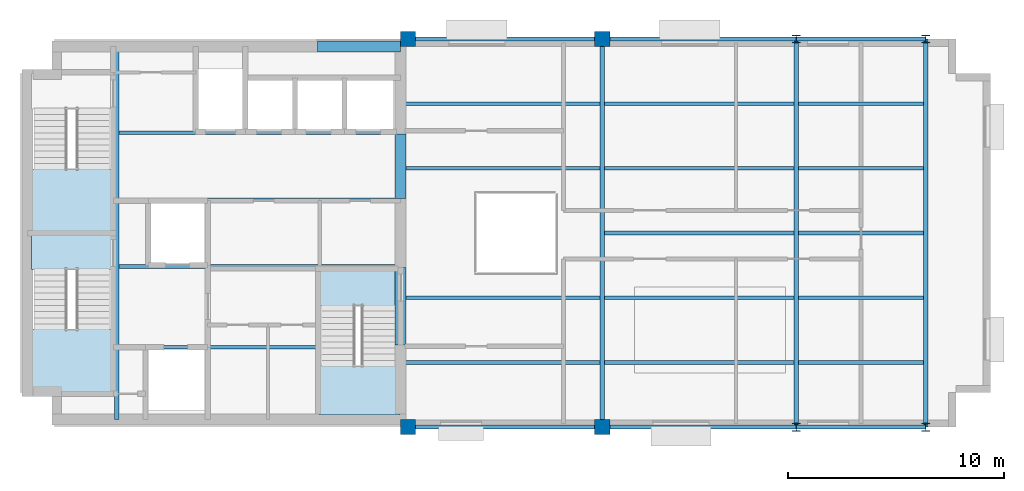
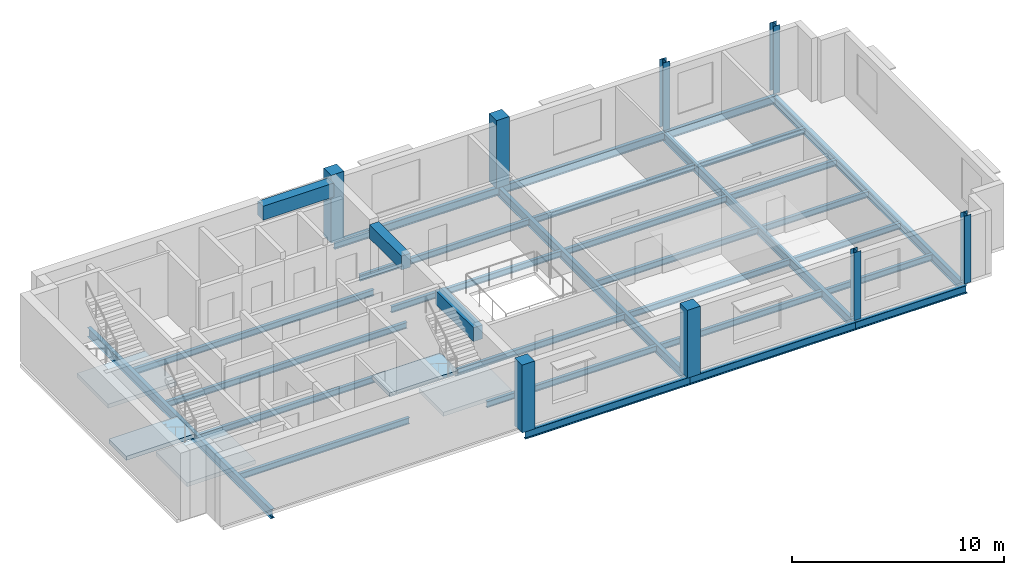
# One storey, part 1 of 5: 31 beams, 8 columns, 5 slabs, 3 elements without a shape of their own.
"""IFC4 building model written with IfcOpenShell, lengths in metres."""

import ifcopenshell
import ifcopenshell.guid

model = None  # the IFC model being written
_history = None  # IfcOwnerHistory: only IFC2X3 demands one
_inside = {}  # id of a spatial element -> (the spatial element, [elements in it])
_under = {}  # id of a project, library or spatial element -> (it, [spatial elements below it])
_declared = {}  # id of a project -> (the project, [libraries it declares])
_typed = {}  # id of a type object -> (the type object, [elements of that type])
_made_of = {}  # id of a material, layer set ... -> (it, [elements and type objects made of it])


def new_model(schema):
    """Start an empty IFC model of exactly this schema.

    Asked for "IFC4X3", IfcOpenShell would pick the latest addendum, in which some entities
    have other attributes; the version numbers below select the first issue.
    IFC2X3 requires an IfcOwnerHistory on every rooted entity: one is made here for all.
    """
    global model, _history
    if schema == "IFC4X3":
        model = ifcopenshell.file(schema_version=(4, 3, 0, 0))
    else:
        model = ifcopenshell.file(schema=schema)
    _inside.clear()
    _under.clear()
    _declared.clear()
    _typed.clear()
    _made_of.clear()
    _history = None
    if model.schema == "IFC2X3":
        org = make("IfcOrganization", Name="unknown")
        user = make(
            "IfcPersonAndOrganization",
            ThePerson=make("IfcPerson", FamilyName="unknown"),
            TheOrganization=org,
        )
        app = make(
            "IfcApplication",
            ApplicationDeveloper=org,
            Version="unknown",
            ApplicationFullName="unknown",
            ApplicationIdentifier="unknown",
        )
        _history = make(
            "IfcOwnerHistory",
            OwningUser=user,
            OwningApplication=app,
            ChangeAction="ADDED",
            CreationDate=0,
        )
    return model


def make(cls, **values):
    """One entity of the class cls with the attributes given. An attribute that is None is left unset."""
    return model.create_entity(
        cls, **{name: value for name, value in values.items() if value is not None}
    )


def rooted(cls, **values):
    """An entity with a GlobalId (a new one), such as an element, a storey or a relation."""
    return make(cls, GlobalId=ifcopenshell.guid.new(), OwnerHistory=_history, **values)


def si_unit(unit_type, name, prefix=None):
    """IfcSIUnit, for example si_unit("LENGTHUNIT", "METRE", prefix="MILLI")."""
    return make("IfcSIUnit", UnitType=unit_type, Prefix=prefix, Name=name)


def assignment(units):
    """IfcUnitAssignment: the units of a project."""
    return None if units is None else make("IfcUnitAssignment", Units=units)


def point(xyz):
    """IfcCartesianPoint."""
    return None if xyz is None else make("IfcCartesianPoint", Coordinates=xyz)


def direction(xyz):
    """IfcDirection."""
    return None if xyz is None else make("IfcDirection", DirectionRatios=xyz)


def frame(location, z_axis=None, x_axis=None):
    """IfcAxis2Placement3D, a coordinate frame: its origin and axes. An axis left out is left unset."""
    return make(
        "IfcAxis2Placement3D",
        Location=point(location),
        Axis=direction(z_axis),
        RefDirection=direction(x_axis),
    )


def frame_2d(location, x_axis=None):
    """IfcAxis2Placement2D, a coordinate frame in the plane: its origin and x axis."""
    return make(
        "IfcAxis2Placement2D", Location=point(location), RefDirection=direction(x_axis)
    )


def origin():
    """The frame at (0, 0, 0) with its axes left unset."""
    return frame((0.0, 0.0, 0.0))


def origin_2d():
    """The frame at (0, 0) in the plane with its x axis left unset."""
    return frame_2d((0.0, 0.0))


def place(relative_to, where):
    """IfcLocalPlacement: puts the frame where relative to a parent placement (None: the world)."""
    return make(
        "IfcLocalPlacement", PlacementRelTo=relative_to, RelativePlacement=where
    )


def context(
    kind, dimensions, precision=None, world=None, true_north=None, identifier=None
):
    """IfcGeometricRepresentationContext, for example the 3D "Model" context."""
    return make(
        "IfcGeometricRepresentationContext",
        ContextIdentifier=identifier,
        ContextType=kind,
        CoordinateSpaceDimension=dimensions,
        Precision=precision,
        WorldCoordinateSystem=world,
        TrueNorth=true_north,
    )


def subcontext(parent, identifier, kind, view, scale=None):
    """IfcGeometricRepresentationSubContext, for example "Body" below "Model"."""
    return make(
        "IfcGeometricRepresentationSubContext",
        ContextIdentifier=identifier,
        ContextType=kind,
        ParentContext=parent,
        TargetScale=scale,
        TargetView=view,
    )


def project(units=None, contexts=None):
    """IfcProject with its units and contexts."""
    return rooted(
        "IfcProject",
        Name="project",
        RepresentationContexts=contexts,
        UnitsInContext=assignment(units),
    )


def spatial(cls, under=None, at=None, **own):
    """A site, building, storey or space (cls), placed at a placement, below another one or the project."""
    s = rooted(cls, ObjectPlacement=at, **own)
    if under is not None:
        _under.setdefault(under.id(), (under, []))[1].append(s)
    return s


def polyline(points):
    """IfcPolyline through the points."""
    return make("IfcPolyline", Points=[point(p) for p in points])


def profile(cls, at=None, kind="AREA", **sizes):
    """A parametric profile (cls). Its sizes go by their IFC names, for example OverallWidth=200.0."""
    return make(cls, ProfileType=kind, Position=at, **sizes)


def rectangle(**sizes):
    """IfcRectangleProfileDef."""
    return profile("IfcRectangleProfileDef", **sizes)


def i_section(**sizes):
    """IfcIShapeProfileDef."""
    return profile("IfcIShapeProfileDef", **sizes)


def outline(outer, holes=None, kind="AREA"):
    """IfcArbitraryClosedProfileDef: a profile drawn as a closed curve; with holes, ...WithVoids."""
    if holes is None:
        return make("IfcArbitraryClosedProfileDef", ProfileType=kind, OuterCurve=outer)
    return make(
        "IfcArbitraryProfileDefWithVoids",
        ProfileType=kind,
        OuterCurve=outer,
        InnerCurves=holes,
    )


def extrude(swept, where, along, depth):
    """IfcExtrudedAreaSolid: the profile swept, set in the frame where, extruded along a direction by depth."""
    return make(
        "IfcExtrudedAreaSolid",
        SweptArea=swept,
        Position=where,
        ExtrudedDirection=direction(along),
        Depth=depth,
    )


def shape(context_of_items, identifier, shape_type, items):
    """IfcShapeRepresentation: the items that make up one representation, for example the "Body"."""
    return make(
        "IfcShapeRepresentation",
        ContextOfItems=context_of_items,
        RepresentationIdentifier=identifier,
        RepresentationType=shape_type,
        Items=items,
    )


def material(Name=None, Category=None):
    """IfcMaterial."""
    return make("IfcMaterial", Name=Name, Category=Category)


def layer(
    of_material, thickness, ventilated=None, Name=None, Category=None, Priority=None
):
    """IfcMaterialLayer: one layer of a wall or slab, of a material (None: an air gap)."""
    return make(
        "IfcMaterialLayer",
        Material=of_material,
        LayerThickness=thickness,
        IsVentilated=ventilated,
        Name=Name,
        Category=Category,
        Priority=Priority,
    )


def layer_set(layers, Name=None):
    """IfcMaterialLayerSet."""
    return make("IfcMaterialLayerSet", MaterialLayers=layers, LayerSetName=Name)


def material_profile(
    of_material, cross_section, Name=None, Category=None, Priority=None
):
    """IfcMaterialProfile: a cross section and its material."""
    return make(
        "IfcMaterialProfile",
        Name=Name,
        Material=of_material,
        Profile=cross_section,
        Priority=Priority,
        Category=Category,
    )


def profile_set(profiles, Name=None, composite=None):
    """IfcMaterialProfileSet."""
    return make(
        "IfcMaterialProfileSet",
        Name=Name,
        MaterialProfiles=profiles,
        CompositeProfile=composite,
    )


def made_of(thing, what):
    """Note that an element or type object is made of a material, layer set ...; save() writes the relation."""
    if what is not None:
        _made_of.setdefault(what.id(), (what, []))[1].append(thing)
    return thing


def type_object(cls, material=None, **own):
    """A type object (cls), such as IfcWallType, which elements share."""
    return made_of(rooted(cls, **own), material)


def element(
    cls,
    number,
    at=None,
    inside=None,
    cuts=None,
    type_object=None,
    material=None,
    context=None,
    identifier="Body",
    shape_type=None,
    held_by="IfcProductDefinitionShape",
    body=None,
    shapes=None,
    **own,
):
    """One element of the class cls, such as IfcWall. Its Tag is "e" and its number.

    at: its placement. inside: the storey or other place that contains it. cuts: it is an
    opening in that element (IfcRelVoidsElement). A single representation is given by context,
    identifier, shape_type and body (its items); several are given by shapes. held_by: the class
    of the entity that holds the representations. save() writes the other relations.
    """
    e = rooted(cls, Tag="e%d" % number, ObjectPlacement=at, **own)
    if body is not None:
        shapes = [shape(context, identifier, shape_type, body)]
    if shapes is not None:
        e.Representation = make(held_by, Representations=shapes)
    if inside is not None:
        _inside.setdefault(inside.id(), (inside, []))[1].append(e)
    if cuts is not None:
        rooted(
            "IfcRelVoidsElement", RelatingBuildingElement=cuts, RelatedOpeningElement=e
        )
    if type_object is not None:
        _typed.setdefault(type_object.id(), (type_object, []))[1].append(e)
    return made_of(e, material)


def aggregate(whole, parts):
    """IfcRelAggregates: a whole, such as a stair, and the parts it consists of."""
    return rooted("IfcRelAggregates", RelatingObject=whole, RelatedObjects=parts)


def save(model, path):
    """Write the relations noted so far, then the file.

    IfcRelAggregates (storeys below a building ...), IfcRelContainedInSpatialStructure (elements
    in a storey), IfcRelDefinesByType, IfcRelAssociatesMaterial and IfcRelDeclares: one each for
    every whole, place, type object, material and project.
    """
    for whole, parts in _under.values():
        aggregate(whole, parts)
    for where, things in _inside.values():
        rooted(
            "IfcRelContainedInSpatialStructure",
            RelatedElements=things,
            RelatingStructure=where,
        )
    for kind, things in _typed.values():
        rooted("IfcRelDefinesByType", RelatedObjects=things, RelatingType=kind)
    for what, things in _made_of.values():
        rooted("IfcRelAssociatesMaterial", RelatedObjects=things, RelatingMaterial=what)
    for by, libraries in _declared.values():
        rooted("IfcRelDeclares", RelatingContext=by, RelatedDefinitions=libraries)
    model.write(path)


model = new_model("IFC4")

# Units and contexts
model_context = context("Model", 3, precision=1e-05, world=origin(), true_north=direction((0.0, 1.0)))
body_context = subcontext(model_context, "Body", "Model", "MODEL_VIEW")
ifc_project = project(units=[si_unit("LENGTHUNIT", "METRE"), si_unit("AREAUNIT", "SQUARE_METRE"), si_unit("VOLUMEUNIT", "CUBIC_METRE"), si_unit("PLANEANGLEUNIT", "RADIAN"), si_unit("MASSUNIT", "GRAM", prefix="KILO")], contexts=[model_context])

# Site, building, storey
site_placement = place(None, origin())
site = spatial("IfcSite", under=ifc_project, at=site_placement, CompositionType="ELEMENT")
building_placement = place(site_placement, origin())
building = spatial("IfcBuilding", under=site, at=building_placement, Name="Mawjdan Bourse Tower", CompositionType="ELEMENT")
storey_placement = place(building_placement, frame((0.0, 0.0, 309.300048828125)))
storey = spatial("IfcBuildingStorey", under=building, at=storey_placement, Name="L76", CompositionType="ELEMENT", Elevation=309.300048828125)

# Columns
ifc_material_1 = material(Name="Concrete C60/75", Category="concrete")
ifc_material_profile_1 = material_profile(ifc_material_1, rectangle(XDim=0.699951171875, YDim=0.699951171875, at=origin_2d()), Name="RC700X700")
ifc_profile_set_1 = profile_set([ifc_material_profile_1], Name="Concrete C60/75")
column_type_1 = type_object("IfcColumnType", Name="COL-RC700X700", PredefinedType="COLUMN", material=ifc_profile_set_1)
for number, where, z_axis, x_axis, name in (
    (1, (24.0, 3.0, 0.0), (0.0, 0.0, 1.0), (1.0, 0.0, 0.0), "L76 Structural Column C-X240-Y30"),
    (2, (24.0, 21.0, 0.0), (0.0, 0.0, 1.0), (1.0, 0.0, 0.0), "L76 Structural Column C-X240-Y210"),
    (3, (33.0, 3.0, 0.0), (0.0, 0.0, 1.0), (1.0, 0.0, 0.0), "L76 Structural Column C-X330-Y30"),
    (4, (33.0, 21.0, 0.0), (0.0, 0.0, 1.0), (1.0, 0.0, 0.0), "L76 Structural Column C-X330-Y210"),
):
    element("IfcColumn", number, at=place(storey_placement, frame(where, z_axis=z_axis, x_axis=x_axis)), inside=storey, type_object=column_type_1, Name=name, PredefinedType="COLUMN", context=body_context, shape_type="SweptSolid", body=[
        extrude(rectangle(XDim=0.699951171875, YDim=0.699951171875, at=origin_2d()), origin(), (0.0, 0.0, 1.0), 3.89990234375),
    ])
ifc_material_2 = material(Name="Structural Steel S355", Category="steel")
ifc_material_profile_2 = material_profile(ifc_material_2, i_section(OverallWidth=0.3701171875, OverallDepth=0.360107421875, WebThickness=0.01220703125, FlangeThickness=0.019775390625, FilletRadius=0.015869140625, at=origin_2d()), Name="W14X99")
ifc_profile_set_2 = profile_set([ifc_material_profile_2], Name="Structural Steel S355")
column_type_2 = type_object("IfcColumnType", Name="COL-W14X99", PredefinedType="COLUMN", material=ifc_profile_set_2)
for number, where, z_axis, x_axis, name in (
    (5, (42.0, 3.0, 0.0), (0.0, 0.0, 1.0), (1.0, 0.0, 0.0), "L76 Structural Column C-X420-Y30"),
    (6, (42.0, 21.0, 0.0), (0.0, 0.0, 1.0), (1.0, 0.0, 0.0), "L76 Structural Column C-X420-Y210"),
    (7, (48.0, 3.0, 0.0), (0.0, 0.0, 1.0), (1.0, 0.0, 0.0), "L76 Structural Column C-X480-Y30"),
    (8, (48.0, 21.0, 0.0), (0.0, 0.0, 1.0), (1.0, 0.0, 0.0), "L76 Structural Column C-X480-Y210"),
):
    element("IfcColumn", number, at=place(storey_placement, frame(where, z_axis=z_axis, x_axis=x_axis)), inside=storey, type_object=column_type_2, Name=name, PredefinedType="COLUMN", context=body_context, shape_type="SweptSolid", body=[
        extrude(i_section(OverallWidth=0.3701171875, OverallDepth=0.360107421875, WebThickness=0.01220703125, FlangeThickness=0.019775390625, FilletRadius=0.015869140625, at=origin_2d()), origin(), (0.0, 0.0, 1.0), 3.89990234375),
    ])

# Beams
ifc_material_profile_3 = material_profile(ifc_material_2, i_section(OverallWidth=0.2099609375, OverallDepth=0.537109375, WebThickness=0.010986328125, FlangeThickness=0.017333984375, FilletRadius=0.013916015625, at=origin_2d()), Name="W21X68")
ifc_profile_set_3 = profile_set([ifc_material_profile_3], Name="Structural Steel S355")
beam_type_1 = type_object("IfcBeamType", Name="GRD-W21X68", PredefinedType="BEAM", material=ifc_profile_set_3)
beam_1_placement = place(storey_placement, frame((10.47998046875, 3.35009765625, -0.45361328125), z_axis=(0.0, 1.0, 0.0), x_axis=(-1.0, 0.0, 0.0)))
element("IfcBeam", 9, at=beam_1_placement, inside=storey, type_object=beam_type_1, Name="L76 Core Stair Trimmer Girder 001", PredefinedType="BEAM", context=body_context, shape_type="SweptSolid", body=[
    extrude(i_section(OverallWidth=0.2099609375, OverallDepth=0.537109375, WebThickness=0.010986328125, FlangeThickness=0.017333984375, FilletRadius=0.013916015625, at=origin_2d()), origin(), (0.0, 0.0, 1.0), 17.2998046875),
])
for number, where, z_axis, x_axis, name in (
    (10, (33.0, 3.0, -0.45361328125), (0.0, 1.0, 0.0), (-1.0, 0.0, 0.0), "L76 East Wing Clear-Span Girder 002"),
    (11, (42.0, 3.0, -0.45361328125), (0.0, 1.0, 0.0), (-1.0, 0.0, 0.0), "L76 East Wing Clear-Span Girder 003"),
    (12, (48.0, 3.0, -0.45361328125), (0.0, 1.0, 0.0), (-1.0, 0.0, 0.0), "L76 East Wing Clear-Span Girder 004"),
):
    element("IfcBeam", number, at=place(storey_placement, frame(where, z_axis=z_axis, x_axis=x_axis)), inside=storey, type_object=beam_type_1, Name=name, PredefinedType="BEAM", context=body_context, shape_type="SweptSolid", body=[
        extrude(i_section(OverallWidth=0.2099609375, OverallDepth=0.537109375, WebThickness=0.010986328125, FlangeThickness=0.017333984375, FilletRadius=0.013916015625, at=origin_2d()), origin(), (0.0, 0.0, 1.0), 18.0),
    ])
ifc_material_profile_4 = material_profile(ifc_material_2, i_section(OverallWidth=0.1708984375, OverallDepth=0.35107421875, WebThickness=0.0068359375, FlangeThickness=0.009765625, FilletRadius=0.0078125, at=origin_2d()), Name="W14X30")
ifc_profile_set_4 = profile_set([ifc_material_profile_4], Name="Structural Steel S355")
beam_type_2 = type_object("IfcBeamType", Name="JST-W14X30", PredefinedType="JOIST", material=ifc_profile_set_4)
beam_2_placement = place(storey_placement, frame((23.64990234375, 6.0, -0.360595703125), z_axis=(1.0, 0.0, 0.0), x_axis=(0.0, 1.0, 0.0)))
element("IfcBeam", 13, at=beam_2_placement, inside=storey, type_object=beam_type_2, Name="L76 East Wing Composite Joist 011", PredefinedType="JOIST", context=body_context, shape_type="SweptSolid", body=[
    extrude(i_section(OverallWidth=0.1708984375, OverallDepth=0.35107421875, WebThickness=0.0068359375, FlangeThickness=0.009765625, FilletRadius=0.0078125, at=origin_2d()), origin(), (0.0, 0.0, 1.0), 9.2470703125),
])
beam_3_placement = place(storey_placement, frame((33.10302734375, 6.0, -0.360595703125), z_axis=(1.0, 0.0, 0.0), x_axis=(0.0, 1.0, 0.0)))
element("IfcBeam", 14, at=beam_3_placement, inside=storey, type_object=beam_type_2, Name="L76 East Wing Composite Joist 012", PredefinedType="JOIST", context=body_context, shape_type="SweptSolid", body=[
    extrude(i_section(OverallWidth=0.1708984375, OverallDepth=0.35107421875, WebThickness=0.0068359375, FlangeThickness=0.009765625, FilletRadius=0.0078125, at=origin_2d()), origin(), (0.0, 0.0, 1.0), 8.7939453125),
])
beam_4_placement = place(storey_placement, frame((42.10302734375, 6.0, -0.360595703125), z_axis=(1.0, 0.0, 0.0), x_axis=(0.0, 1.0, 0.0)))
element("IfcBeam", 15, at=beam_4_placement, inside=storey, type_object=beam_type_2, Name="L76 East Wing Composite Joist 013", PredefinedType="JOIST", context=body_context, shape_type="SweptSolid", body=[
    extrude(i_section(OverallWidth=0.1708984375, OverallDepth=0.35107421875, WebThickness=0.0068359375, FlangeThickness=0.009765625, FilletRadius=0.0078125, at=origin_2d()), origin(), (0.0, 0.0, 1.0), 5.7939453125),
])
beam_5_placement = place(storey_placement, frame((23.64990234375, 9.0, -0.360595703125), z_axis=(1.0, 0.0, 0.0), x_axis=(0.0, 1.0, 0.0)))
element("IfcBeam", 16, at=beam_5_placement, inside=storey, type_object=beam_type_2, Name="L76 East Wing Composite Joist 014", PredefinedType="JOIST", context=body_context, shape_type="SweptSolid", body=[
    extrude(i_section(OverallWidth=0.1708984375, OverallDepth=0.35107421875, WebThickness=0.0068359375, FlangeThickness=0.009765625, FilletRadius=0.0078125, at=origin_2d()), origin(), (0.0, 0.0, 1.0), 9.2470703125),
])
beam_6_placement = place(storey_placement, frame((33.10302734375, 9.0, -0.360595703125), z_axis=(1.0, 0.0, 0.0), x_axis=(0.0, 1.0, 0.0)))
element("IfcBeam", 17, at=beam_6_placement, inside=storey, type_object=beam_type_2, Name="L76 East Wing Composite Joist 015", PredefinedType="JOIST", context=body_context, shape_type="SweptSolid", body=[
    extrude(i_section(OverallWidth=0.1708984375, OverallDepth=0.35107421875, WebThickness=0.0068359375, FlangeThickness=0.009765625, FilletRadius=0.0078125, at=origin_2d()), origin(), (0.0, 0.0, 1.0), 8.7939453125),
])
beam_7_placement = place(storey_placement, frame((42.10302734375, 9.0, -0.360595703125), z_axis=(1.0, 0.0, 0.0), x_axis=(0.0, 1.0, 0.0)))
element("IfcBeam", 18, at=beam_7_placement, inside=storey, type_object=beam_type_2, Name="L76 East Wing Composite Joist 016", PredefinedType="JOIST", context=body_context, shape_type="SweptSolid", body=[
    extrude(i_section(OverallWidth=0.1708984375, OverallDepth=0.35107421875, WebThickness=0.0068359375, FlangeThickness=0.009765625, FilletRadius=0.0078125, at=origin_2d()), origin(), (0.0, 0.0, 1.0), 5.7939453125),
])
beam_8_placement = place(storey_placement, frame((33.10302734375, 12.0, -0.360595703125), z_axis=(1.0, 0.0, 0.0), x_axis=(0.0, 1.0, 0.0)))
element("IfcBeam", 19, at=beam_8_placement, inside=storey, type_object=beam_type_2, Name="L76 East Wing Composite Joist 017", PredefinedType="JOIST", context=body_context, shape_type="SweptSolid", body=[
    extrude(i_section(OverallWidth=0.1708984375, OverallDepth=0.35107421875, WebThickness=0.0068359375, FlangeThickness=0.009765625, FilletRadius=0.0078125, at=origin_2d()), origin(), (0.0, 0.0, 1.0), 8.7939453125),
])
beam_9_placement = place(storey_placement, frame((42.10302734375, 12.0, -0.360595703125), z_axis=(1.0, 0.0, 0.0), x_axis=(0.0, 1.0, 0.0)))
element("IfcBeam", 20, at=beam_9_placement, inside=storey, type_object=beam_type_2, Name="L76 East Wing Composite Joist 018", PredefinedType="JOIST", context=body_context, shape_type="SweptSolid", body=[
    extrude(i_section(OverallWidth=0.1708984375, OverallDepth=0.35107421875, WebThickness=0.0068359375, FlangeThickness=0.009765625, FilletRadius=0.0078125, at=origin_2d()), origin(), (0.0, 0.0, 1.0), 5.7939453125),
])
beam_10_placement = place(storey_placement, frame((23.64990234375, 15.0, -0.360595703125), z_axis=(1.0, 0.0, 0.0), x_axis=(0.0, 1.0, 0.0)))
element("IfcBeam", 21, at=beam_10_placement, inside=storey, type_object=beam_type_2, Name="L76 East Wing Composite Joist 019", PredefinedType="JOIST", context=body_context, shape_type="SweptSolid", body=[
    extrude(i_section(OverallWidth=0.1708984375, OverallDepth=0.35107421875, WebThickness=0.0068359375, FlangeThickness=0.009765625, FilletRadius=0.0078125, at=origin_2d()), origin(), (0.0, 0.0, 1.0), 9.2470703125),
])
beam_11_placement = place(storey_placement, frame((33.10302734375, 15.0, -0.360595703125), z_axis=(1.0, 0.0, 0.0), x_axis=(0.0, 1.0, 0.0)))
element("IfcBeam", 22, at=beam_11_placement, inside=storey, type_object=beam_type_2, Name="L76 East Wing Composite Joist 020", PredefinedType="JOIST", context=body_context, shape_type="SweptSolid", body=[
    extrude(i_section(OverallWidth=0.1708984375, OverallDepth=0.35107421875, WebThickness=0.0068359375, FlangeThickness=0.009765625, FilletRadius=0.0078125, at=origin_2d()), origin(), (0.0, 0.0, 1.0), 8.7939453125),
])
beam_12_placement = place(storey_placement, frame((42.10302734375, 15.0, -0.360595703125), z_axis=(1.0, 0.0, 0.0), x_axis=(0.0, 1.0, 0.0)))
element("IfcBeam", 23, at=beam_12_placement, inside=storey, type_object=beam_type_2, Name="L76 East Wing Composite Joist 021", PredefinedType="JOIST", context=body_context, shape_type="SweptSolid", body=[
    extrude(i_section(OverallWidth=0.1708984375, OverallDepth=0.35107421875, WebThickness=0.0068359375, FlangeThickness=0.009765625, FilletRadius=0.0078125, at=origin_2d()), origin(), (0.0, 0.0, 1.0), 5.7939453125),
])
beam_13_placement = place(storey_placement, frame((23.64990234375, 18.0, -0.360595703125), z_axis=(1.0, 0.0, 0.0), x_axis=(0.0, 1.0, 0.0)))
element("IfcBeam", 24, at=beam_13_placement, inside=storey, type_object=beam_type_2, Name="L76 East Wing Composite Joist 022", PredefinedType="JOIST", context=body_context, shape_type="SweptSolid", body=[
    extrude(i_section(OverallWidth=0.1708984375, OverallDepth=0.35107421875, WebThickness=0.0068359375, FlangeThickness=0.009765625, FilletRadius=0.0078125, at=origin_2d()), origin(), (0.0, 0.0, 1.0), 9.2470703125),
])
beam_14_placement = place(storey_placement, frame((33.10302734375, 18.0, -0.360595703125), z_axis=(1.0, 0.0, 0.0), x_axis=(0.0, 1.0, 0.0)))
element("IfcBeam", 25, at=beam_14_placement, inside=storey, type_object=beam_type_2, Name="L76 East Wing Composite Joist 023", PredefinedType="JOIST", context=body_context, shape_type="SweptSolid", body=[
    extrude(i_section(OverallWidth=0.1708984375, OverallDepth=0.35107421875, WebThickness=0.0068359375, FlangeThickness=0.009765625, FilletRadius=0.0078125, at=origin_2d()), origin(), (0.0, 0.0, 1.0), 8.7939453125),
])
beam_15_placement = place(storey_placement, frame((42.10302734375, 18.0, -0.360595703125), z_axis=(1.0, 0.0, 0.0), x_axis=(0.0, 1.0, 0.0)))
element("IfcBeam", 26, at=beam_15_placement, inside=storey, type_object=beam_type_2, Name="L76 East Wing Composite Joist 024", PredefinedType="JOIST", context=body_context, shape_type="SweptSolid", body=[
    extrude(i_section(OverallWidth=0.1708984375, OverallDepth=0.35107421875, WebThickness=0.0068359375, FlangeThickness=0.009765625, FilletRadius=0.0078125, at=origin_2d()), origin(), (0.0, 0.0, 1.0), 5.7939453125),
])
beam_16_placement = place(storey_placement, frame((10.5830078125, 6.699951171875, -0.360595703125), z_axis=(1.0, 0.0, 0.0), x_axis=(0.0, 1.0, 0.0)))
element("IfcBeam", 27, at=beam_16_placement, inside=storey, type_object=beam_type_2, Name="L76 Core Floor Joist 025", PredefinedType="JOIST", context=body_context, shape_type="SweptSolid", body=[
    extrude(i_section(OverallWidth=0.1708984375, OverallDepth=0.35107421875, WebThickness=0.0068359375, FlangeThickness=0.009765625, FilletRadius=0.0078125, at=origin_2d()), origin(), (0.0, 0.0, 1.0), 9.2470703125),
])
for number, where, z_axis, x_axis, name in (
    (28, (10.5830078125, 10.449951171875, -0.360595703125), (1.0, 0.0, 0.0), (0.0, 1.0, 0.0), "L76 Core Floor Joist 026"),
    (29, (10.5830078125, 13.550048828125, -0.360595703125), (1.0, 0.0, 0.0), (0.0, 1.0, 0.0), "L76 Core Floor Joist 027"),
    (30, (10.5830078125, 16.64990234375, -0.360595703125), (1.0, 0.0, 0.0), (0.0, 1.0, 0.0), "L76 Core Floor Joist 028"),
):
    element("IfcBeam", number, at=place(storey_placement, frame(where, z_axis=z_axis, x_axis=x_axis)), inside=storey, type_object=beam_type_2, Name=name, PredefinedType="JOIST", context=body_context, shape_type="SweptSolid", body=[
        extrude(i_section(OverallWidth=0.1708984375, OverallDepth=0.35107421875, WebThickness=0.0068359375, FlangeThickness=0.009765625, FilletRadius=0.0078125, at=origin_2d()), origin(), (0.0, 0.0, 1.0), 13.06689453125),
    ])
ifc_material_3 = material(Name="Concrete C70/85", Category="concrete")
ifc_material_profile_5 = material_profile(ifc_material_3, rectangle(XDim=0.5, YDim=0.800048828125, at=origin_2d()), Name="RCB500X800")
ifc_profile_set_5 = profile_set([ifc_material_profile_5], Name="Concrete C70/85")
beam_type_3 = type_object("IfcBeamType", Name="LNT-RCB500X800", PredefinedType="LINTEL", material=ifc_profile_set_5)
beam_17_placement = place(storey_placement, frame((23.64990234375, 6.800048828125, 3.219970703125), z_axis=(0.0, 1.0, 0.0), x_axis=(-1.0, 0.0, 0.0)))
element("IfcBeam", 31, at=beam_17_placement, inside=storey, type_object=beam_type_3, Name="L76 Coupled Core Lintel CB-E1", PredefinedType="LINTEL", context=body_context, shape_type="SweptSolid", body=[
    extrude(rectangle(XDim=0.5, YDim=0.800048828125, at=origin_2d()), origin(), (0.0, 0.0, 1.0), 3.599853515625),
])
beam_18_placement = place(storey_placement, frame((23.64990234375, 13.60009765625, 3.219970703125), z_axis=(0.0, 1.0, 0.0), x_axis=(-1.0, 0.0, 0.0)))
element("IfcBeam", 32, at=beam_18_placement, inside=storey, type_object=beam_type_3, Name="L76 Coupled Core Lintel CB-E2", PredefinedType="LINTEL", context=body_context, shape_type="SweptSolid", body=[
    extrude(rectangle(XDim=0.5, YDim=0.800048828125, at=origin_2d()), origin(), (0.0, 0.0, 1.0), 3.0),
])
beam_19_placement = place(storey_placement, frame((19.800048828125, 20.64990234375, 3.219970703125), z_axis=(1.0, 0.0, 0.0), x_axis=(0.0, 1.0, 0.0)))
element("IfcBeam", 33, at=beam_19_placement, inside=storey, type_object=beam_type_3, Name="L76 Coupled Core Lintel CB-N1", PredefinedType="LINTEL", context=body_context, shape_type="SweptSolid", body=[
    extrude(rectangle(XDim=0.5, YDim=0.800048828125, at=origin_2d()), origin(), (0.0, 0.0, 1.0), 3.849853515625),
])
ifc_material_profile_6 = material_profile(ifc_material_2, i_section(OverallWidth=0.18994140625, OverallDepth=0.45703125, WebThickness=0.009033203125, FlangeThickness=0.014404296875, FilletRadius=0.01171875, at=origin_2d()), Name="W18X50")
ifc_profile_set_6 = profile_set([ifc_material_profile_6], Name="Structural Steel S355")
beam_type_4 = type_object("IfcBeamType", Name="SPN-W18X50", PredefinedType="SPANDREL", material=ifc_profile_set_6)
for number, where, z_axis, x_axis, name in (
    (34, (24.0, 3.0, -0.41357421875), (1.0, 0.0, 0.0), (0.0, 1.0, 0.0), "L76 Perimeter Masonry-Shelf Spandrel 005"),
    (35, (33.0, 3.0, -0.41357421875), (1.0, 0.0, 0.0), (0.0, 1.0, 0.0), "L76 Perimeter Masonry-Shelf Spandrel 006"),
):
    element("IfcBeam", number, at=place(storey_placement, frame(where, z_axis=z_axis, x_axis=x_axis)), inside=storey, type_object=beam_type_4, Name=name, PredefinedType="SPANDREL", context=body_context, shape_type="SweptSolid", body=[
        extrude(i_section(OverallWidth=0.18994140625, OverallDepth=0.45703125, WebThickness=0.009033203125, FlangeThickness=0.014404296875, FilletRadius=0.01171875, at=origin_2d()), origin(), (0.0, 0.0, 1.0), 9.0),
    ])
beam_20_placement = place(storey_placement, frame((42.0, 3.0, -0.41357421875), z_axis=(1.0, 0.0, 0.0), x_axis=(0.0, 1.0, 0.0)))
element("IfcBeam", 36, at=beam_20_placement, inside=storey, type_object=beam_type_4, Name="L76 Perimeter Masonry-Shelf Spandrel 007", PredefinedType="SPANDREL", context=body_context, shape_type="SweptSolid", body=[
    extrude(i_section(OverallWidth=0.18994140625, OverallDepth=0.45703125, WebThickness=0.009033203125, FlangeThickness=0.014404296875, FilletRadius=0.01171875, at=origin_2d()), origin(), (0.0, 0.0, 1.0), 6.0),
])
for number, where, z_axis, x_axis, name in (
    (37, (24.0, 21.0, -0.41357421875), (1.0, 0.0, 0.0), (0.0, 1.0, 0.0), "L76 Perimeter Masonry-Shelf Spandrel 008"),
    (38, (33.0, 21.0, -0.41357421875), (1.0, 0.0, 0.0), (0.0, 1.0, 0.0), "L76 Perimeter Masonry-Shelf Spandrel 009"),
):
    element("IfcBeam", number, at=place(storey_placement, frame(where, z_axis=z_axis, x_axis=x_axis)), inside=storey, type_object=beam_type_4, Name=name, PredefinedType="SPANDREL", context=body_context, shape_type="SweptSolid", body=[
        extrude(i_section(OverallWidth=0.18994140625, OverallDepth=0.45703125, WebThickness=0.009033203125, FlangeThickness=0.014404296875, FilletRadius=0.01171875, at=origin_2d()), origin(), (0.0, 0.0, 1.0), 9.0),
    ])
beam_21_placement = place(storey_placement, frame((42.0, 21.0, -0.41357421875), z_axis=(1.0, 0.0, 0.0), x_axis=(0.0, 1.0, 0.0)))
element("IfcBeam", 39, at=beam_21_placement, inside=storey, type_object=beam_type_4, Name="L76 Perimeter Masonry-Shelf Spandrel 010", PredefinedType="SPANDREL", context=body_context, shape_type="SweptSolid", body=[
    extrude(i_section(OverallWidth=0.18994140625, OverallDepth=0.45703125, WebThickness=0.009033203125, FlangeThickness=0.014404296875, FilletRadius=0.01171875, at=origin_2d()), origin(), (0.0, 0.0, 1.0), 6.0),
])

# Stair, slabs
ifc_material_4 = material(Name="Concrete C50/60", Category="concrete")
stair_type = type_object("IfcStairType", Name="STR-CORE-1500", PredefinedType="HALF_TURN_STAIR", material=ifc_material_4)
stair_1_placement = place(storey_placement, origin())
stair_1 = element("IfcStair", 40, at=stair_1_placement, inside=storey, type_object=stair_type, Name="L76 Exit Stair 1 (Core South-West)", PredefinedType="HALF_TURN_STAIR")
ifc_layer = layer(ifc_material_4, 0.22998046875)
ifc_layer_set = layer_set([ifc_layer], Name="Concrete C50/60")
slab_type = type_object("IfcSlabType", Name="SL-LND-230", PredefinedType="LANDING", material=ifc_layer_set)
slab_1_placement = place(storey_placement, frame((0.0, 0.0, -0.22998046875)))
slab_1 = element("IfcSlab", 41, at=slab_1_placement, type_object=slab_type, Name="ST1-L76 landing 1", PredefinedType="LANDING", context=body_context, shape_type="SweptSolid", body=[
    extrude(outline(polyline([(6.5400390625, 10.31005859375), (10.260009765625, 10.31005859375), (10.260009765625, 11.969970703125), (6.5400390625, 11.969970703125), (6.5400390625, 10.31005859375)])), origin(), (0.0, 0.0, 1.0), 0.22998046875),
])
slab_2_placement = place(storey_placement, frame((0.0, 0.0, 1.719970703125)))
slab_2 = element("IfcSlab", 42, at=slab_2_placement, type_object=slab_type, Name="ST1-L76 landing 2", PredefinedType="LANDING", context=body_context, shape_type="SweptSolid", body=[
    extrude(outline(polyline([(6.5400390625, 4.590087890625), (10.260009765625, 4.590087890625), (10.260009765625, 7.5400390625), (6.5400390625, 7.5400390625), (6.5400390625, 4.590087890625)])), origin(), (0.0, 0.0, 1.0), 0.22998046875),
])
aggregate(stair_1, [slab_1, slab_2])

# Stair, slab
stair_2_placement = place(storey_placement, origin())
stair_2 = element("IfcStair", 43, at=stair_2_placement, inside=storey, type_object=stair_type, Name="L76 Exit Stair 2 (Core North-West)", PredefinedType="HALF_TURN_STAIR")
slab_3_placement = place(storey_placement, frame((0.0, 0.0, 1.719970703125)))
slab_3 = element("IfcSlab", 44, at=slab_3_placement, type_object=slab_type, Name="ST2-L76 landing 2", PredefinedType="LANDING", context=body_context, shape_type="SweptSolid", body=[
    extrude(outline(polyline([(6.5400390625, 12.030029296875), (10.260009765625, 12.030029296875), (10.260009765625, 14.97998046875), (6.5400390625, 14.97998046875), (6.5400390625, 12.030029296875)])), origin(), (0.0, 0.0, 1.0), 0.22998046875),
])
aggregate(stair_2, [slab_3])

# Stair, slabs
stair_3_placement = place(storey_placement, origin())
stair_3 = element("IfcStair", 45, at=stair_3_placement, inside=storey, type_object=stair_type, Name="L76 Exit Stair 7 (Core South-East)", PredefinedType="HALF_TURN_STAIR")
slab_4_placement = place(storey_placement, frame((0.0, 0.0, -0.22998046875)))
slab_4 = element("IfcSlab", 46, at=slab_4_placement, type_object=slab_type, Name="ST7-L76 landing 1", PredefinedType="LANDING", context=body_context, shape_type="SweptSolid", body=[
    extrude(outline(polyline([(19.889892578125, 8.6201171875), (23.610107421875, 8.6201171875), (23.610107421875, 10.280029296875), (19.889892578125, 10.280029296875), (19.889892578125, 8.6201171875)])), origin(), (0.0, 0.0, 1.0), 0.22998046875),
])
slab_5_placement = place(storey_placement, frame((0.0, 0.0, 1.719970703125)))
slab_5 = element("IfcSlab", 47, at=slab_5_placement, type_object=slab_type, Name="ST7-L76 landing 2", PredefinedType="LANDING", context=body_context, shape_type="SweptSolid", body=[
    extrude(outline(polyline([(19.889892578125, 3.56005859375), (23.610107421875, 3.56005859375), (23.610107421875, 5.85009765625), (19.889892578125, 5.85009765625), (19.889892578125, 3.56005859375)])), origin(), (0.0, 0.0, 1.0), 0.22998046875),
])
aggregate(stair_3, [slab_4, slab_5])

save(model, "model.ifc")
